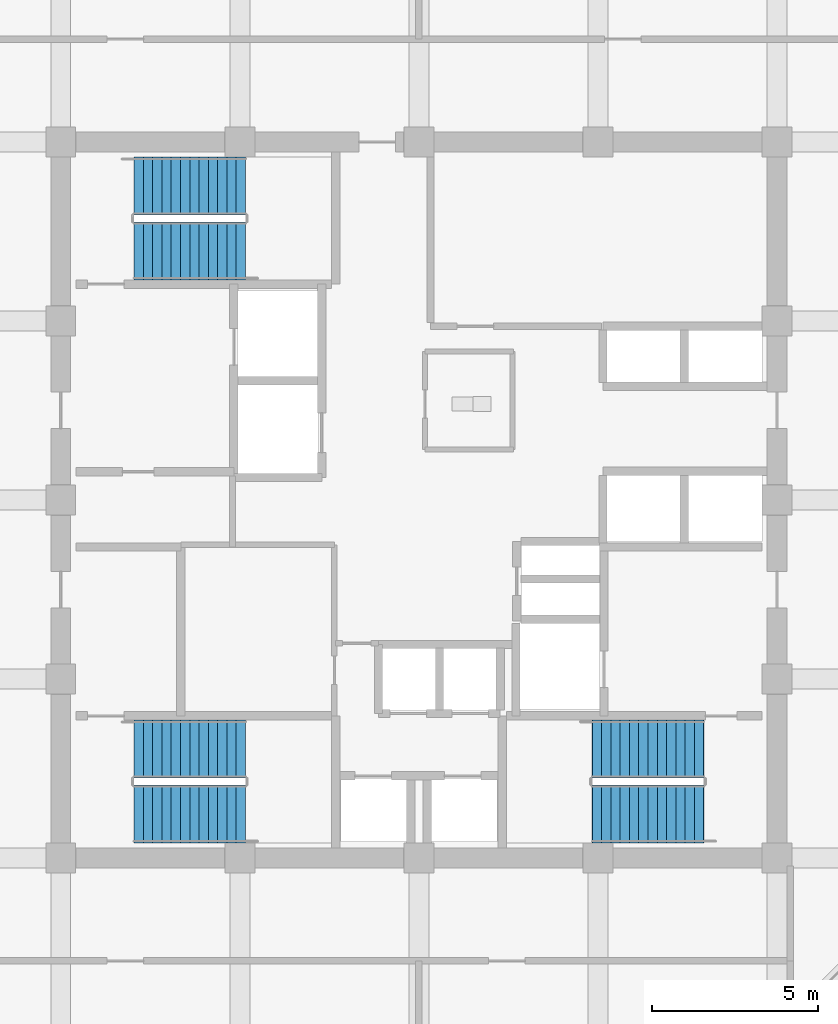
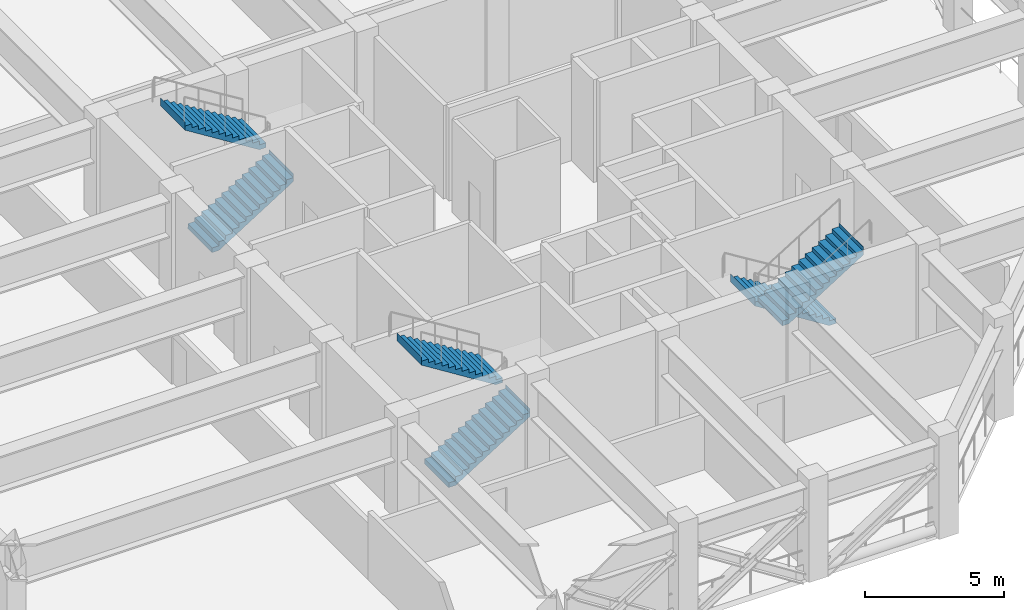
# One storey, part 6 of 11: 6 stair flights, 3 elements without a shape of their own.
"""IFC4 building model written with IfcOpenShell, lengths in metres."""

import ifcopenshell
import ifcopenshell.guid

model = None  # the IFC model being written
_history = None  # IfcOwnerHistory: only IFC2X3 demands one
_inside = {}  # id of a spatial element -> (the spatial element, [elements in it])
_under = {}  # id of a project, library or spatial element -> (it, [spatial elements below it])
_declared = {}  # id of a project -> (the project, [libraries it declares])
_typed = {}  # id of a type object -> (the type object, [elements of that type])
_made_of = {}  # id of a material, layer set ... -> (it, [elements and type objects made of it])


def new_model(schema):
    """Start an empty IFC model of exactly this schema.

    Asked for "IFC4X3", IfcOpenShell would pick the latest addendum, in which some entities
    have other attributes; the version numbers below select the first issue.
    IFC2X3 requires an IfcOwnerHistory on every rooted entity: one is made here for all.
    """
    global model, _history
    if schema == "IFC4X3":
        model = ifcopenshell.file(schema_version=(4, 3, 0, 0))
    else:
        model = ifcopenshell.file(schema=schema)
    _inside.clear()
    _under.clear()
    _declared.clear()
    _typed.clear()
    _made_of.clear()
    _history = None
    if model.schema == "IFC2X3":
        org = make("IfcOrganization", Name="unknown")
        user = make(
            "IfcPersonAndOrganization",
            ThePerson=make("IfcPerson", FamilyName="unknown"),
            TheOrganization=org,
        )
        app = make(
            "IfcApplication",
            ApplicationDeveloper=org,
            Version="unknown",
            ApplicationFullName="unknown",
            ApplicationIdentifier="unknown",
        )
        _history = make(
            "IfcOwnerHistory",
            OwningUser=user,
            OwningApplication=app,
            ChangeAction="ADDED",
            CreationDate=0,
        )
    return model


def make(cls, **values):
    """One entity of the class cls with the attributes given. An attribute that is None is left unset."""
    return model.create_entity(
        cls, **{name: value for name, value in values.items() if value is not None}
    )


def rooted(cls, **values):
    """An entity with a GlobalId (a new one), such as an element, a storey or a relation."""
    return make(cls, GlobalId=ifcopenshell.guid.new(), OwnerHistory=_history, **values)


def si_unit(unit_type, name, prefix=None):
    """IfcSIUnit, for example si_unit("LENGTHUNIT", "METRE", prefix="MILLI")."""
    return make("IfcSIUnit", UnitType=unit_type, Prefix=prefix, Name=name)


def assignment(units):
    """IfcUnitAssignment: the units of a project."""
    return None if units is None else make("IfcUnitAssignment", Units=units)


def point(xyz):
    """IfcCartesianPoint."""
    return None if xyz is None else make("IfcCartesianPoint", Coordinates=xyz)


def direction(xyz):
    """IfcDirection."""
    return None if xyz is None else make("IfcDirection", DirectionRatios=xyz)


def frame(location, z_axis=None, x_axis=None):
    """IfcAxis2Placement3D, a coordinate frame: its origin and axes. An axis left out is left unset."""
    return make(
        "IfcAxis2Placement3D",
        Location=point(location),
        Axis=direction(z_axis),
        RefDirection=direction(x_axis),
    )


def origin():
    """The frame at (0, 0, 0) with its axes left unset."""
    return frame((0.0, 0.0, 0.0))


def place(relative_to, where):
    """IfcLocalPlacement: puts the frame where relative to a parent placement (None: the world)."""
    return make(
        "IfcLocalPlacement", PlacementRelTo=relative_to, RelativePlacement=where
    )


def context(
    kind, dimensions, precision=None, world=None, true_north=None, identifier=None
):
    """IfcGeometricRepresentationContext, for example the 3D "Model" context."""
    return make(
        "IfcGeometricRepresentationContext",
        ContextIdentifier=identifier,
        ContextType=kind,
        CoordinateSpaceDimension=dimensions,
        Precision=precision,
        WorldCoordinateSystem=world,
        TrueNorth=true_north,
    )


def subcontext(parent, identifier, kind, view, scale=None):
    """IfcGeometricRepresentationSubContext, for example "Body" below "Model"."""
    return make(
        "IfcGeometricRepresentationSubContext",
        ContextIdentifier=identifier,
        ContextType=kind,
        ParentContext=parent,
        TargetScale=scale,
        TargetView=view,
    )


def project(units=None, contexts=None):
    """IfcProject with its units and contexts."""
    return rooted(
        "IfcProject",
        Name="project",
        RepresentationContexts=contexts,
        UnitsInContext=assignment(units),
    )


def spatial(cls, under=None, at=None, **own):
    """A site, building, storey or space (cls), placed at a placement, below another one or the project."""
    s = rooted(cls, ObjectPlacement=at, **own)
    if under is not None:
        _under.setdefault(under.id(), (under, []))[1].append(s)
    return s


def polyline(points):
    """IfcPolyline through the points."""
    return make("IfcPolyline", Points=[point(p) for p in points])


def outline(outer, holes=None, kind="AREA"):
    """IfcArbitraryClosedProfileDef: a profile drawn as a closed curve; with holes, ...WithVoids."""
    if holes is None:
        return make("IfcArbitraryClosedProfileDef", ProfileType=kind, OuterCurve=outer)
    return make(
        "IfcArbitraryProfileDefWithVoids",
        ProfileType=kind,
        OuterCurve=outer,
        InnerCurves=holes,
    )


def extrude(swept, where, along, depth):
    """IfcExtrudedAreaSolid: the profile swept, set in the frame where, extruded along a direction by depth."""
    return make(
        "IfcExtrudedAreaSolid",
        SweptArea=swept,
        Position=where,
        ExtrudedDirection=direction(along),
        Depth=depth,
    )


def shape(context_of_items, identifier, shape_type, items):
    """IfcShapeRepresentation: the items that make up one representation, for example the "Body"."""
    return make(
        "IfcShapeRepresentation",
        ContextOfItems=context_of_items,
        RepresentationIdentifier=identifier,
        RepresentationType=shape_type,
        Items=items,
    )


def material(Name=None, Category=None):
    """IfcMaterial."""
    return make("IfcMaterial", Name=Name, Category=Category)


def made_of(thing, what):
    """Note that an element or type object is made of a material, layer set ...; save() writes the relation."""
    if what is not None:
        _made_of.setdefault(what.id(), (what, []))[1].append(thing)
    return thing


def type_object(cls, material=None, **own):
    """A type object (cls), such as IfcWallType, which elements share."""
    return made_of(rooted(cls, **own), material)


def element(
    cls,
    number,
    at=None,
    inside=None,
    cuts=None,
    type_object=None,
    material=None,
    context=None,
    identifier="Body",
    shape_type=None,
    held_by="IfcProductDefinitionShape",
    body=None,
    shapes=None,
    **own,
):
    """One element of the class cls, such as IfcWall. Its Tag is "e" and its number.

    at: its placement. inside: the storey or other place that contains it. cuts: it is an
    opening in that element (IfcRelVoidsElement). A single representation is given by context,
    identifier, shape_type and body (its items); several are given by shapes. held_by: the class
    of the entity that holds the representations. save() writes the other relations.
    """
    e = rooted(cls, Tag="e%d" % number, ObjectPlacement=at, **own)
    if body is not None:
        shapes = [shape(context, identifier, shape_type, body)]
    if shapes is not None:
        e.Representation = make(held_by, Representations=shapes)
    if inside is not None:
        _inside.setdefault(inside.id(), (inside, []))[1].append(e)
    if cuts is not None:
        rooted(
            "IfcRelVoidsElement", RelatingBuildingElement=cuts, RelatedOpeningElement=e
        )
    if type_object is not None:
        _typed.setdefault(type_object.id(), (type_object, []))[1].append(e)
    return made_of(e, material)


def aggregate(whole, parts):
    """IfcRelAggregates: a whole, such as a stair, and the parts it consists of."""
    return rooted("IfcRelAggregates", RelatingObject=whole, RelatedObjects=parts)


def save(model, path):
    """Write the relations noted so far, then the file.

    IfcRelAggregates (storeys below a building ...), IfcRelContainedInSpatialStructure (elements
    in a storey), IfcRelDefinesByType, IfcRelAssociatesMaterial and IfcRelDeclares: one each for
    every whole, place, type object, material and project.
    """
    for whole, parts in _under.values():
        aggregate(whole, parts)
    for where, things in _inside.values():
        rooted(
            "IfcRelContainedInSpatialStructure",
            RelatedElements=things,
            RelatingStructure=where,
        )
    for kind, things in _typed.values():
        rooted("IfcRelDefinesByType", RelatedObjects=things, RelatingType=kind)
    for what, things in _made_of.values():
        rooted("IfcRelAssociatesMaterial", RelatedObjects=things, RelatingMaterial=what)
    for by, libraries in _declared.values():
        rooted("IfcRelDeclares", RelatingContext=by, RelatedDefinitions=libraries)
    model.write(path)


model = new_model("IFC4")

# Units and contexts
model_context = context("Model", 3, precision=1e-05, world=origin(), true_north=direction((0.0, 1.0)))
body_context = subcontext(model_context, "Body", "Model", "MODEL_VIEW")
ifc_project = project(units=[si_unit("LENGTHUNIT", "METRE"), si_unit("AREAUNIT", "SQUARE_METRE"), si_unit("VOLUMEUNIT", "CUBIC_METRE"), si_unit("PLANEANGLEUNIT", "RADIAN"), si_unit("MASSUNIT", "GRAM", prefix="KILO")], contexts=[model_context])

# Site, building, storey
site_placement = place(None, origin())
site = spatial("IfcSite", under=ifc_project, at=site_placement, CompositionType="ELEMENT")
building_placement = place(site_placement, origin())
building = spatial("IfcBuilding", under=site, at=building_placement, Name="Surkhivell Harbour Commons", CompositionType="ELEMENT")
storey_placement = place(building_placement, frame((0.0, 0.0, 254.25)))
storey = spatial("IfcBuildingStorey", under=building, at=storey_placement, Name="L66", CompositionType="ELEMENT", Elevation=254.25)

# Stair, stair flights
ifc_material = material(Name="Precast concrete C45/55", Category="concrete")
stair_type = type_object("IfcStairType", Name="STR-DL-450", PredefinedType="HALF_TURN_STAIR", material=ifc_material)
stair_1_placement = place(storey_placement, origin())
stair_1 = element("IfcStair", 1, at=stair_1_placement, inside=storey, type_object=stair_type, Name="L66 Core Exit Stair ST1", PredefinedType="HALF_TURN_STAIR")
stair_flight_type = type_object("IfcStairFlightType", Name="STF-DL-450", PredefinedType="STRAIGHT", material=ifc_material)
stair_flight_1_placement = place(storey_placement, frame((-8.590087890625, 7.514892578125, 0.0), z_axis=(0.0, 0.0, 1.0), x_axis=(1.0, 0.0, 0.0)))
stair_flight_1 = element("IfcStairFlight", 2, at=stair_flight_1_placement, type_object=stair_flight_type, Name="ST1 flight 1", NumberOfRisers=13, NumberOfTreads=12, PredefinedType="STRAIGHT", RiserHeight=0.173076923, TreadLength=0.28, context=body_context, shape_type="SweptSolid", body=[
    extrude(outline(polyline([(-0.0029296875, -0.034912109375), (-0.0029296875, 0.0), (0.0, 0.0), (0.0, 0.173095703125), (0.280029296875, 0.173095703125), (0.280029296875, 0.34619140625), (0.56005859375, 0.34619140625), (0.56005859375, 0.519287109375), (0.840087890625, 0.519287109375), (0.840087890625, 0.6923828125), (1.1201171875, 0.6923828125), (1.1201171875, 0.865478515625), (1.39990234375, 0.865478515625), (1.39990234375, 1.03857421875), (1.679931640625, 1.03857421875), (1.679931640625, 1.21142578125), (1.9599609375, 1.21142578125), (1.9599609375, 1.384521484375), (2.239990234375, 1.384521484375), (2.239990234375, 1.5576171875), (2.52001953125, 1.5576171875), (2.52001953125, 1.730712890625), (2.800048828125, 1.730712890625), (2.800048828125, 1.90380859375), (3.080078125, 1.90380859375), (3.080078125, 2.076904296875), (3.360107421875, 2.076904296875), (3.360107421875, 2.25), (3.363037109375, 2.25), (3.363037109375, 1.900634765625), (0.28515625, -0.034912109375), (-0.0029296875, -0.034912109375)])), frame((0.0, 0.875, 0.0), z_axis=(0.0, -1.0, 0.0), x_axis=(1.0, 0.0, 0.0)), (0.0, 0.0, 1.0), 1.75),
])
stair_flight_2_placement = place(storey_placement, frame((-5.22998046875, 9.465087890625, 2.25), z_axis=(0.0, 0.0, 1.0), x_axis=(-1.0, 0.0, 0.0)))
stair_flight_2 = element("IfcStairFlight", 3, at=stair_flight_2_placement, type_object=stair_flight_type, Name="ST1 flight 2", NumberOfRisers=13, NumberOfTreads=12, PredefinedType="STRAIGHT", RiserHeight=0.173076923, TreadLength=0.28, context=body_context, shape_type="SweptSolid", body=[
    extrude(outline(polyline([(-0.0029296875, -0.034912109375), (-0.0029296875, 0.0), (0.0, 0.0), (0.0, 0.173095703125), (0.280029296875, 0.173095703125), (0.280029296875, 0.34619140625), (0.56005859375, 0.34619140625), (0.56005859375, 0.519287109375), (0.840087890625, 0.519287109375), (0.840087890625, 0.6923828125), (1.1201171875, 0.6923828125), (1.1201171875, 0.865478515625), (1.39990234375, 0.865478515625), (1.39990234375, 1.03857421875), (1.679931640625, 1.03857421875), (1.679931640625, 1.21142578125), (1.9599609375, 1.21142578125), (1.9599609375, 1.384521484375), (2.239990234375, 1.384521484375), (2.239990234375, 1.5576171875), (2.52001953125, 1.5576171875), (2.52001953125, 1.730712890625), (2.800048828125, 1.730712890625), (2.800048828125, 1.90380859375), (3.080078125, 1.90380859375), (3.080078125, 2.076904296875), (3.360107421875, 2.076904296875), (3.360107421875, 2.25), (3.363037109375, 2.25), (3.363037109375, 1.900634765625), (0.28515625, -0.034912109375), (-0.0029296875, -0.034912109375)])), frame((0.0, 0.875, 0.0), z_axis=(0.0, -1.0, 0.0), x_axis=(1.0, 0.0, 0.0)), (0.0, 0.0, 1.0), 1.75),
])
aggregate(stair_1, [stair_flight_1, stair_flight_2])

stair_2_placement = place(storey_placement, origin())
stair_2 = element("IfcStair", 4, at=stair_2_placement, inside=storey, type_object=stair_type, Name="L66 Core Exit Stair ST2", PredefinedType="HALF_TURN_STAIR")
stair_flight_3_placement = place(storey_placement, frame((8.590087890625, -7.514892578125, 0.0), z_axis=(0.0, 0.0, 1.0), x_axis=(-1.0, 0.0, 0.0)))
stair_flight_3 = element("IfcStairFlight", 5, at=stair_flight_3_placement, type_object=stair_flight_type, Name="ST2 flight 1", NumberOfRisers=13, NumberOfTreads=12, PredefinedType="STRAIGHT", RiserHeight=0.173076923, TreadLength=0.28, context=body_context, shape_type="SweptSolid", body=[
    extrude(outline(polyline([(-0.0029296875, -0.034912109375), (-0.0029296875, 0.0), (0.0, 0.0), (0.0, 0.173095703125), (0.280029296875, 0.173095703125), (0.280029296875, 0.34619140625), (0.56005859375, 0.34619140625), (0.56005859375, 0.519287109375), (0.840087890625, 0.519287109375), (0.840087890625, 0.6923828125), (1.1201171875, 0.6923828125), (1.1201171875, 0.865478515625), (1.39990234375, 0.865478515625), (1.39990234375, 1.03857421875), (1.679931640625, 1.03857421875), (1.679931640625, 1.21142578125), (1.9599609375, 1.21142578125), (1.9599609375, 1.384521484375), (2.239990234375, 1.384521484375), (2.239990234375, 1.5576171875), (2.52001953125, 1.5576171875), (2.52001953125, 1.730712890625), (2.800048828125, 1.730712890625), (2.800048828125, 1.90380859375), (3.080078125, 1.90380859375), (3.080078125, 2.076904296875), (3.360107421875, 2.076904296875), (3.360107421875, 2.25), (3.363037109375, 2.25), (3.363037109375, 1.900634765625), (0.28515625, -0.034912109375), (-0.0029296875, -0.034912109375)])), frame((0.0, 0.875, 0.0), z_axis=(0.0, -1.0, 0.0), x_axis=(1.0, 0.0, 0.0)), (0.0, 0.0, 1.0), 1.75),
])
stair_flight_4_placement = place(storey_placement, frame((5.22998046875, -9.465087890625, 2.25), z_axis=(0.0, 0.0, 1.0), x_axis=(1.0, 0.0, 0.0)))
stair_flight_4 = element("IfcStairFlight", 6, at=stair_flight_4_placement, type_object=stair_flight_type, Name="ST2 flight 2", NumberOfRisers=13, NumberOfTreads=12, PredefinedType="STRAIGHT", RiserHeight=0.173076923, TreadLength=0.28, context=body_context, shape_type="SweptSolid", body=[
    extrude(outline(polyline([(-0.0029296875, -0.034912109375), (-0.0029296875, 0.0), (0.0, 0.0), (0.0, 0.173095703125), (0.280029296875, 0.173095703125), (0.280029296875, 0.34619140625), (0.56005859375, 0.34619140625), (0.56005859375, 0.519287109375), (0.840087890625, 0.519287109375), (0.840087890625, 0.6923828125), (1.1201171875, 0.6923828125), (1.1201171875, 0.865478515625), (1.39990234375, 0.865478515625), (1.39990234375, 1.03857421875), (1.679931640625, 1.03857421875), (1.679931640625, 1.21142578125), (1.9599609375, 1.21142578125), (1.9599609375, 1.384521484375), (2.239990234375, 1.384521484375), (2.239990234375, 1.5576171875), (2.52001953125, 1.5576171875), (2.52001953125, 1.730712890625), (2.800048828125, 1.730712890625), (2.800048828125, 1.90380859375), (3.080078125, 1.90380859375), (3.080078125, 2.076904296875), (3.360107421875, 2.076904296875), (3.360107421875, 2.25), (3.363037109375, 2.25), (3.363037109375, 1.900634765625), (0.28515625, -0.034912109375), (-0.0029296875, -0.034912109375)])), frame((0.0, 0.875, 0.0), z_axis=(0.0, -1.0, 0.0), x_axis=(1.0, 0.0, 0.0)), (0.0, 0.0, 1.0), 1.75),
])
aggregate(stair_2, [stair_flight_3, stair_flight_4])

stair_3_placement = place(storey_placement, origin())
stair_3 = element("IfcStair", 7, at=stair_3_placement, inside=storey, type_object=stair_type, Name="L66 Core Exit Stair ST3", PredefinedType="HALF_TURN_STAIR")
stair_flight_5_placement = place(storey_placement, frame((-8.590087890625, -9.465087890625, 0.0), z_axis=(0.0, 0.0, 1.0), x_axis=(1.0, 0.0, 0.0)))
stair_flight_5 = element("IfcStairFlight", 8, at=stair_flight_5_placement, type_object=stair_flight_type, Name="ST3 flight 1", NumberOfRisers=13, NumberOfTreads=12, PredefinedType="STRAIGHT", RiserHeight=0.173076923, TreadLength=0.28, context=body_context, shape_type="SweptSolid", body=[
    extrude(outline(polyline([(-0.0029296875, -0.034912109375), (-0.0029296875, 0.0), (0.0, 0.0), (0.0, 0.173095703125), (0.280029296875, 0.173095703125), (0.280029296875, 0.34619140625), (0.56005859375, 0.34619140625), (0.56005859375, 0.519287109375), (0.840087890625, 0.519287109375), (0.840087890625, 0.6923828125), (1.1201171875, 0.6923828125), (1.1201171875, 0.865478515625), (1.39990234375, 0.865478515625), (1.39990234375, 1.03857421875), (1.679931640625, 1.03857421875), (1.679931640625, 1.21142578125), (1.9599609375, 1.21142578125), (1.9599609375, 1.384521484375), (2.239990234375, 1.384521484375), (2.239990234375, 1.5576171875), (2.52001953125, 1.5576171875), (2.52001953125, 1.730712890625), (2.800048828125, 1.730712890625), (2.800048828125, 1.90380859375), (3.080078125, 1.90380859375), (3.080078125, 2.076904296875), (3.360107421875, 2.076904296875), (3.360107421875, 2.25), (3.363037109375, 2.25), (3.363037109375, 1.900634765625), (0.28515625, -0.034912109375), (-0.0029296875, -0.034912109375)])), frame((0.0, 0.875, 0.0), z_axis=(0.0, -1.0, 0.0), x_axis=(1.0, 0.0, 0.0)), (0.0, 0.0, 1.0), 1.75),
])
stair_flight_6_placement = place(storey_placement, frame((-5.22998046875, -7.514892578125, 2.25), z_axis=(0.0, 0.0, 1.0), x_axis=(-1.0, 0.0, 0.0)))
stair_flight_6 = element("IfcStairFlight", 9, at=stair_flight_6_placement, type_object=stair_flight_type, Name="ST3 flight 2", NumberOfRisers=13, NumberOfTreads=12, PredefinedType="STRAIGHT", RiserHeight=0.173076923, TreadLength=0.28, context=body_context, shape_type="SweptSolid", body=[
    extrude(outline(polyline([(-0.0029296875, -0.034912109375), (-0.0029296875, 0.0), (0.0, 0.0), (0.0, 0.173095703125), (0.280029296875, 0.173095703125), (0.280029296875, 0.34619140625), (0.56005859375, 0.34619140625), (0.56005859375, 0.519287109375), (0.840087890625, 0.519287109375), (0.840087890625, 0.6923828125), (1.1201171875, 0.6923828125), (1.1201171875, 0.865478515625), (1.39990234375, 0.865478515625), (1.39990234375, 1.03857421875), (1.679931640625, 1.03857421875), (1.679931640625, 1.21142578125), (1.9599609375, 1.21142578125), (1.9599609375, 1.384521484375), (2.239990234375, 1.384521484375), (2.239990234375, 1.5576171875), (2.52001953125, 1.5576171875), (2.52001953125, 1.730712890625), (2.800048828125, 1.730712890625), (2.800048828125, 1.90380859375), (3.080078125, 1.90380859375), (3.080078125, 2.076904296875), (3.360107421875, 2.076904296875), (3.360107421875, 2.25), (3.363037109375, 2.25), (3.363037109375, 1.900634765625), (0.28515625, -0.034912109375), (-0.0029296875, -0.034912109375)])), frame((0.0, 0.875, 0.0), z_axis=(0.0, -1.0, 0.0), x_axis=(1.0, 0.0, 0.0)), (0.0, 0.0, 1.0), 1.75),
])
aggregate(stair_3, [stair_flight_5, stair_flight_6])

save(model, "model.ifc")
